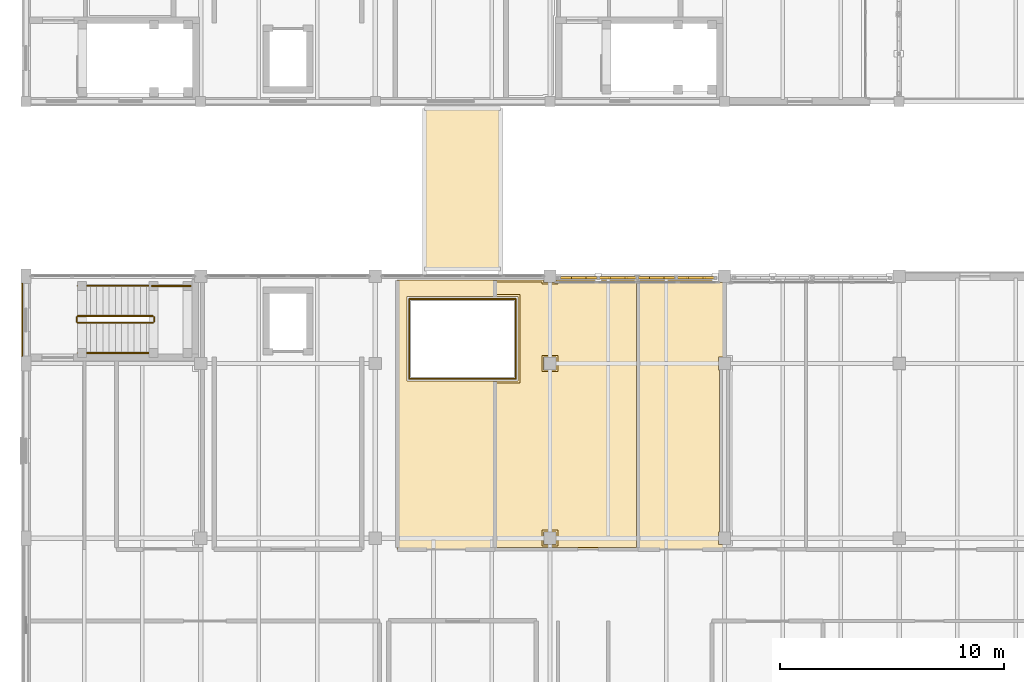
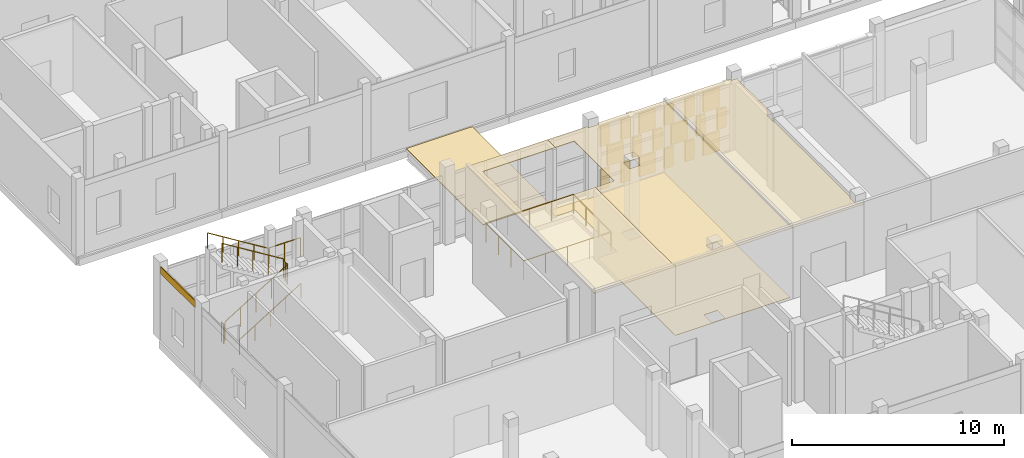
# One storey, part 103 of 119: 24 coverings, 11 railings.
"""IFC4 building model written with IfcOpenShell, lengths in metres."""

from ifc_helpers import new_model, si_unit, direction, frame, origin, origin_2d, place, context, subcontext, project, spatial, polyline, rectangle, circle, outline, extrude, material, layer, layer_set, type_object, element, save


model = new_model("IFC4")

# Units and contexts
model_context = context("Model", 3, precision=1e-05, world=origin(), true_north=direction((0.0, 1.0)))
body_context = subcontext(model_context, "Body", "Model", "MODEL_VIEW")
ifc_project = project(units=[si_unit("LENGTHUNIT", "METRE"), si_unit("AREAUNIT", "SQUARE_METRE"), si_unit("VOLUMEUNIT", "CUBIC_METRE"), si_unit("PLANEANGLEUNIT", "RADIAN"), si_unit("MASSUNIT", "GRAM", prefix="KILO")], contexts=[model_context])

# Site, building, storey
site_placement = place(None, origin())
site = spatial("IfcSite", under=ifc_project, at=site_placement, CompositionType="ELEMENT")
building_placement = place(site_placement, origin())
building = spatial("IfcBuilding", under=site, at=building_placement, Name="Celorna Specialist Clinic", CompositionType="ELEMENT")
storey_placement = place(building_placement, frame((0.0, 0.0, 9.60009765625)))
storey = spatial("IfcBuildingStorey", under=building, at=storey_placement, Name="L02", CompositionType="ELEMENT", Elevation=9.60009765625)

# Railings
ifc_material_1 = material(Name="Stainless steel and laminated glass balustrade", Category="steel")
railing_type_1 = type_object("IfcRailingType", Name="BL-01", PredefinedType="BALUSTRADE", material=ifc_material_1)
railing_1_placement = place(storey_placement, frame((17.1201171875, 22.719970703125, 0.0)))
element("IfcRailing", 1, at=railing_1_placement, inside=storey, type_object=railing_type_1, Name="Clinical lightwell balustrade L02 #7-1", PredefinedType="BALUSTRADE", context=body_context, shape_type="SweptSolid", body=[
    extrude(circle(Radius=0.02392578125, at=origin_2d()), frame((0.0, 0.0, 1.09619140625), z_axis=(1.0, 0.0, 0.0), x_axis=(0.0, 1.0, 0.0)), (0.0, 0.0, 1.0), 4.759765625),
    extrude(circle(Radius=0.02099609375, at=origin_2d()), origin(), (0.0, 0.0, 1.0), 1.072021484375),
    extrude(circle(Radius=0.02099609375, at=origin_2d()), frame((1.18994140625, 0.0, 0.0)), (0.0, 0.0, 1.0), 1.072021484375),
    extrude(circle(Radius=0.02099609375, at=origin_2d()), frame((2.3798828125, 0.0, 0.0)), (0.0, 0.0, 1.0), 1.072021484375),
    extrude(circle(Radius=0.02099609375, at=origin_2d()), frame((3.56982421875, 0.0, 0.0)), (0.0, 0.0, 1.0), 1.072021484375),
    extrude(circle(Radius=0.02099609375, at=origin_2d()), frame((4.759765625, 0.0, 0.0)), (0.0, 0.0, 1.0), 1.072021484375),
])
railing_2_placement = place(storey_placement, frame((21.8798828125, 22.719970703125, 0.0)))
element("IfcRailing", 2, at=railing_2_placement, inside=storey, type_object=railing_type_1, Name="Clinical lightwell balustrade L02 #7-2", PredefinedType="BALUSTRADE", context=body_context, shape_type="SweptSolid", body=[
    extrude(circle(Radius=0.02392578125, at=origin_2d()), frame((0.0, 0.0, 1.09619140625), z_axis=(0.0, 1.0, 0.0), x_axis=(-1.0, 0.0, 0.0)), (0.0, 0.0, 1.0), 3.56005859375),
    extrude(circle(Radius=0.02099609375, at=origin_2d()), origin(), (0.0, 0.0, 1.0), 1.072021484375),
    extrude(circle(Radius=0.02099609375, at=origin_2d()), frame((0.0, 1.186767578125, 0.0)), (0.0, 0.0, 1.0), 1.072021484375),
    extrude(circle(Radius=0.02099609375, at=origin_2d()), frame((0.0, 2.373291015625, 0.0)), (0.0, 0.0, 1.0), 1.072021484375),
    extrude(circle(Radius=0.02099609375, at=origin_2d()), frame((0.0, 3.56005859375, 0.0)), (0.0, 0.0, 1.0), 1.072021484375),
])
railing_3_placement = place(storey_placement, frame((21.8798828125, 26.280029296875, 0.0)))
element("IfcRailing", 3, at=railing_3_placement, inside=storey, type_object=railing_type_1, Name="Clinical lightwell balustrade L02 #7-3", PredefinedType="BALUSTRADE", context=body_context, shape_type="SweptSolid", body=[
    extrude(circle(Radius=0.02392578125, at=origin_2d()), frame((0.0, 0.0, 1.09619140625), z_axis=(-1.0, 0.0, 0.0), x_axis=(0.0, -1.0, 0.0)), (0.0, 0.0, 1.0), 4.759765625),
    extrude(circle(Radius=0.02099609375, at=origin_2d()), origin(), (0.0, 0.0, 1.0), 1.072021484375),
    extrude(circle(Radius=0.02099609375, at=origin_2d()), frame((-1.18994140625, 0.0, 0.0)), (0.0, 0.0, 1.0), 1.072021484375),
    extrude(circle(Radius=0.02099609375, at=origin_2d()), frame((-2.3798828125, 0.0, 0.0)), (0.0, 0.0, 1.0), 1.072021484375),
    extrude(circle(Radius=0.02099609375, at=origin_2d()), frame((-3.56982421875, 0.0, 0.0)), (0.0, 0.0, 1.0), 1.072021484375),
    extrude(circle(Radius=0.02099609375, at=origin_2d()), frame((-4.759765625, 0.0, 0.0)), (0.0, 0.0, 1.0), 1.072021484375),
])
railing_4_placement = place(storey_placement, frame((17.1201171875, 26.280029296875, 0.0)))
element("IfcRailing", 4, at=railing_4_placement, inside=storey, type_object=railing_type_1, Name="Clinical lightwell balustrade L02 #7-4", PredefinedType="BALUSTRADE", context=body_context, shape_type="SweptSolid", body=[
    extrude(circle(Radius=0.02392578125, at=origin_2d()), frame((0.0, 0.0, 1.09619140625), z_axis=(0.0, -1.0, 0.0), x_axis=(1.0, 0.0, 0.0)), (0.0, 0.0, 1.0), 3.56005859375),
    extrude(circle(Radius=0.02099609375, at=origin_2d()), origin(), (0.0, 0.0, 1.0), 1.072021484375),
    extrude(circle(Radius=0.02099609375, at=origin_2d()), frame((0.0, -1.186767578125, 0.0)), (0.0, 0.0, 1.0), 1.072021484375),
    extrude(circle(Radius=0.02099609375, at=origin_2d()), frame((0.0, -2.373291015625, 0.0)), (0.0, 0.0, 1.0), 1.072021484375),
    extrude(circle(Radius=0.02099609375, at=origin_2d()), frame((0.0, -3.56005859375, 0.0)), (0.0, 0.0, 1.0), 1.072021484375),
])

# Coverings
ifc_material_2 = material(Name="Hygienic acoustic mineral-fibre ceiling")
ifc_layer_1 = layer(ifc_material_2, 0.030029296875, Name="Hygienic acoustic mineral-fibre ceiling")
ifc_layer_set_1 = layer_set([ifc_layer_1], Name="Hygienic acoustic mineral-fibre ceiling")
covering_type_1 = type_object("IfcCoveringType", Name="CE-01", PredefinedType="CEILING", material=ifc_layer_set_1)
covering_1_placement = place(storey_placement, frame((0.0, 0.0, 4.02978515625)))
element("IfcCovering", 5, at=covering_1_placement, inside=storey, type_object=covering_type_1, Name="Acoustic ceiling L02-058", PredefinedType="CEILING", context=body_context, shape_type="SweptSolid", body=[
    extrude(outline(polyline([(16.574951171875, 27.125), (20.955078125, 27.125), (20.955078125, 26.385009765625), (17.014892578125, 26.385009765625), (17.014892578125, 22.614990234375), (20.955078125, 22.614990234375), (20.955078125, 15.0849609375), (16.574951171875, 15.0849609375), (16.574951171875, 27.125)])), origin(), (0.0, 0.0, 1.0), 0.030029296875),
])
covering_2_placement = place(storey_placement, frame((0.0, 0.0, 4.02978515625)))
element("IfcCovering", 6, at=covering_2_placement, inside=storey, type_object=covering_type_1, Name="Acoustic ceiling L02-059", PredefinedType="CEILING", context=body_context, shape_type="SweptSolid", body=[
    extrude(outline(polyline([(27.35498046875, 27.125), (27.35498046875, 15.0849609375), (20.925048828125, 15.0849609375), (20.925048828125, 22.614990234375), (21.985107421875, 22.614990234375), (21.985107421875, 26.385009765625), (20.925048828125, 26.385009765625), (20.925048828125, 27.125), (23.1201171875, 27.125), (23.1201171875, 27.02001953125), (23.679931640625, 27.02001953125), (23.679931640625, 27.125), (27.35498046875, 27.125)]), holes=[polyline([(23.679931640625, 15.8798828125), (23.1201171875, 15.8798828125), (23.1201171875, 15.320068359375), (23.679931640625, 15.320068359375), (23.679931640625, 15.8798828125)]), polyline([(23.679931640625, 23.679931640625), (23.1201171875, 23.679931640625), (23.1201171875, 23.1201171875), (23.679931640625, 23.1201171875), (23.679931640625, 23.679931640625)])]), origin(), (0.0, 0.0, 1.0), 0.030029296875),
])
covering_3_placement = place(storey_placement, frame((0.0, 0.0, 4.02978515625)))
element("IfcCovering", 7, at=covering_3_placement, inside=storey, type_object=covering_type_1, Name="Acoustic ceiling L02-060", PredefinedType="CEILING", context=body_context, shape_type="SweptSolid", body=[
    extrude(outline(polyline([(27.324951171875, 27.125), (30.919921875, 27.125), (30.919921875, 27.02001953125), (31.205078125, 27.02001953125), (31.205078125, 23.679931640625), (30.919921875, 23.679931640625), (30.919921875, 23.1201171875), (30.965087890625, 23.1201171875), (30.965087890625, 15.8798828125), (30.919921875, 15.8798828125), (30.919921875, 15.320068359375), (31.205078125, 15.320068359375), (31.205078125, 15.0849609375), (27.324951171875, 15.0849609375), (27.324951171875, 27.125)])), origin(), (0.0, 0.0, 1.0), 0.030029296875),
])
ifc_material_3 = material(Name="Pero Pinheiro Lioz limestone rainscreen cladding", Category="masonry")
ifc_layer_2 = layer(ifc_material_3, 0.044921875, Name="Pero Pinheiro Lioz limestone rainscreen cladding")
ifc_layer_set_2 = layer_set([ifc_layer_2], Name="Pero Pinheiro Lioz limestone rainscreen cladding")
covering_type_2 = type_object("IfcCoveringType", Name="CL-01", PredefinedType="CLADDING", material=ifc_layer_set_2)
covering_4_placement = place(storey_placement, frame((-0.16748046875, 25.35009765625, 3.83984375), z_axis=(0.0, 0.0, 1.0), x_axis=(0.0, 1.0, 0.0)))
element("IfcCovering", 8, at=covering_4_placement, inside=storey, type_object=covering_type_2, Name="Lioz spandrel cladding #347", PredefinedType="CLADDING", context=body_context, shape_type="SweptSolid", body=[
    extrude(rectangle(XDim=3.25, YDim=0.044921875, at=origin_2d()), origin(), (0.0, 0.0, 1.0), 0.39990234375),
])
ifc_material_4 = material(Name="Perforated terracotta brick weave cladding", Category="masonry")
ifc_layer_3 = layer(ifc_material_4, 0.114990234375, Name="Perforated terracotta brick weave cladding")
ifc_layer_set_3 = layer_set([ifc_layer_3], Name="Perforated terracotta brick weave cladding")
covering_type_3 = type_object("IfcCoveringType", Name="CL-02", PredefinedType="CLADDING", material=ifc_layer_set_3)
for number, where, z_axis, x_axis, name in (
    (9, (24.122314453125, 27.22998046875, 0.10009765625), (0.0, 0.0, 1.0), (1.0, 0.0, 0.0), "Woven perforated terracotta brick course #1518"),
    (10, (25.25, 27.22998046875, 0.10009765625), (0.0, 0.0, 1.0), (1.0, 0.0, 0.0), "Woven perforated terracotta brick course #1519"),
):
    element("IfcCovering", number, at=place(storey_placement, frame(where, z_axis=z_axis, x_axis=x_axis)), inside=storey, type_object=covering_type_3, Name=name, PredefinedType="CLADDING", context=body_context, shape_type="SweptSolid", body=[
        extrude(rectangle(XDim=0.494873046875, YDim=0.114990234375, at=origin_2d()), origin(), (0.0, 0.0, 1.0), 1.146728515625),
    ])
covering_5_placement = place(storey_placement, frame((24.686279296875, 27.22998046875, 1.3466796875), z_axis=(0.0, 0.0, 1.0), x_axis=(1.0, 0.0, 0.0)))
element("IfcCovering", 11, at=covering_5_placement, inside=storey, type_object=covering_type_3, Name="Woven perforated terracotta brick course #1520", PredefinedType="CLADDING", context=body_context, shape_type="SweptSolid", body=[
    extrude(rectangle(XDim=0.876220703125, YDim=0.114990234375, at=origin_2d()), origin(), (0.0, 0.0, 1.0), 1.146484375),
])
for number, where, z_axis, x_axis, name in (
    (12, (24.122314453125, 27.22998046875, 2.59326171875), (0.0, 0.0, 1.0), (1.0, 0.0, 0.0), "Woven perforated terracotta brick course #1521"),
    (13, (25.25, 27.22998046875, 2.59326171875), (0.0, 0.0, 1.0), (1.0, 0.0, 0.0), "Woven perforated terracotta brick course #1522"),
):
    element("IfcCovering", number, at=place(storey_placement, frame(where, z_axis=z_axis, x_axis=x_axis)), inside=storey, type_object=covering_type_3, Name=name, PredefinedType="CLADDING", context=body_context, shape_type="SweptSolid", body=[
        extrude(rectangle(XDim=0.494873046875, YDim=0.114990234375, at=origin_2d()), origin(), (0.0, 0.0, 1.0), 1.146728515625),
    ])
covering_6_placement = place(storey_placement, frame((26.4287109375, 27.22998046875, 0.10009765625), z_axis=(0.0, 0.0, 1.0), x_axis=(1.0, 0.0, 0.0)))
element("IfcCovering", 14, at=covering_6_placement, inside=storey, type_object=covering_type_3, Name="Woven perforated terracotta brick course #1523", PredefinedType="CLADDING", context=body_context, shape_type="SweptSolid", body=[
    extrude(rectangle(XDim=0.876220703125, YDim=0.114990234375, at=origin_2d()), origin(), (0.0, 0.0, 1.0), 1.146728515625),
])
for number, where, z_axis, x_axis, name in (
    (15, (25.864990234375, 27.22998046875, 1.3466796875), (0.0, 0.0, 1.0), (1.0, 0.0, 0.0), "Woven perforated terracotta brick course #1524"),
    (16, (26.992431640625, 27.22998046875, 1.3466796875), (0.0, 0.0, 1.0), (1.0, 0.0, 0.0), "Woven perforated terracotta brick course #1525"),
):
    element("IfcCovering", number, at=place(storey_placement, frame(where, z_axis=z_axis, x_axis=x_axis)), inside=storey, type_object=covering_type_3, Name=name, PredefinedType="CLADDING", context=body_context, shape_type="SweptSolid", body=[
        extrude(rectangle(XDim=0.494873046875, YDim=0.114990234375, at=origin_2d()), origin(), (0.0, 0.0, 1.0), 1.146484375),
    ])
covering_7_placement = place(storey_placement, frame((26.4287109375, 27.22998046875, 2.59326171875), z_axis=(0.0, 0.0, 1.0), x_axis=(1.0, 0.0, 0.0)))
element("IfcCovering", 17, at=covering_7_placement, inside=storey, type_object=covering_type_3, Name="Woven perforated terracotta brick course #1526", PredefinedType="CLADDING", context=body_context, shape_type="SweptSolid", body=[
    extrude(rectangle(XDim=0.876220703125, YDim=0.114990234375, at=origin_2d()), origin(), (0.0, 0.0, 1.0), 1.146728515625),
])
for number, where, z_axis, x_axis, name in (
    (18, (27.607421875, 27.22998046875, 0.10009765625), (0.0, 0.0, 1.0), (1.0, 0.0, 0.0), "Woven perforated terracotta brick course #1527"),
    (19, (28.735107421875, 27.22998046875, 0.10009765625), (0.0, 0.0, 1.0), (1.0, 0.0, 0.0), "Woven perforated terracotta brick course #1528"),
):
    element("IfcCovering", number, at=place(storey_placement, frame(where, z_axis=z_axis, x_axis=x_axis)), inside=storey, type_object=covering_type_3, Name=name, PredefinedType="CLADDING", context=body_context, shape_type="SweptSolid", body=[
        extrude(rectangle(XDim=0.494873046875, YDim=0.114990234375, at=origin_2d()), origin(), (0.0, 0.0, 1.0), 1.146728515625),
    ])
covering_8_placement = place(storey_placement, frame((28.17138671875, 27.22998046875, 1.3466796875), z_axis=(0.0, 0.0, 1.0), x_axis=(1.0, 0.0, 0.0)))
element("IfcCovering", 20, at=covering_8_placement, inside=storey, type_object=covering_type_3, Name="Woven perforated terracotta brick course #1529", PredefinedType="CLADDING", context=body_context, shape_type="SweptSolid", body=[
    extrude(rectangle(XDim=0.876220703125, YDim=0.114990234375, at=origin_2d()), origin(), (0.0, 0.0, 1.0), 1.146484375),
])
for number, where, z_axis, x_axis, name in (
    (21, (27.607421875, 27.22998046875, 2.59326171875), (0.0, 0.0, 1.0), (1.0, 0.0, 0.0), "Woven perforated terracotta brick course #1530"),
    (22, (28.735107421875, 27.22998046875, 2.59326171875), (0.0, 0.0, 1.0), (1.0, 0.0, 0.0), "Woven perforated terracotta brick course #1531"),
):
    element("IfcCovering", number, at=place(storey_placement, frame(where, z_axis=z_axis, x_axis=x_axis)), inside=storey, type_object=covering_type_3, Name=name, PredefinedType="CLADDING", context=body_context, shape_type="SweptSolid", body=[
        extrude(rectangle(XDim=0.494873046875, YDim=0.114990234375, at=origin_2d()), origin(), (0.0, 0.0, 1.0), 1.146728515625),
    ])
covering_9_placement = place(storey_placement, frame((29.913818359375, 27.22998046875, 0.10009765625), z_axis=(0.0, 0.0, 1.0), x_axis=(1.0, 0.0, 0.0)))
element("IfcCovering", 23, at=covering_9_placement, inside=storey, type_object=covering_type_3, Name="Woven perforated terracotta brick course #1532", PredefinedType="CLADDING", context=body_context, shape_type="SweptSolid", body=[
    extrude(rectangle(XDim=0.876220703125, YDim=0.114990234375, at=origin_2d()), origin(), (0.0, 0.0, 1.0), 1.146728515625),
])
for number, where, z_axis, x_axis, name in (
    (24, (29.349853515625, 27.22998046875, 1.3466796875), (0.0, 0.0, 1.0), (1.0, 0.0, 0.0), "Woven perforated terracotta brick course #1533"),
    (25, (30.4775390625, 27.22998046875, 1.3466796875), (0.0, 0.0, 1.0), (1.0, 0.0, 0.0), "Woven perforated terracotta brick course #1534"),
):
    element("IfcCovering", number, at=place(storey_placement, frame(where, z_axis=z_axis, x_axis=x_axis)), inside=storey, type_object=covering_type_3, Name=name, PredefinedType="CLADDING", context=body_context, shape_type="SweptSolid", body=[
        extrude(rectangle(XDim=0.494873046875, YDim=0.114990234375, at=origin_2d()), origin(), (0.0, 0.0, 1.0), 1.146484375),
    ])
covering_10_placement = place(storey_placement, frame((29.913818359375, 27.22998046875, 2.59326171875), z_axis=(0.0, 0.0, 1.0), x_axis=(1.0, 0.0, 0.0)))
element("IfcCovering", 26, at=covering_10_placement, inside=storey, type_object=covering_type_3, Name="Woven perforated terracotta brick course #1535", PredefinedType="CLADDING", context=body_context, shape_type="SweptSolid", body=[
    extrude(rectangle(XDim=0.876220703125, YDim=0.114990234375, at=origin_2d()), origin(), (0.0, 0.0, 1.0), 1.146728515625),
])
ifc_material_5 = material(Name="Seamless antimicrobial clinical vinyl and Lioz terrazzo flooring")
ifc_layer_4 = layer(ifc_material_5, 0.02001953125, Name="Seamless antimicrobial clinical vinyl and Lioz terrazzo flooring")
ifc_layer_set_4 = layer_set([ifc_layer_4], Name="Seamless antimicrobial clinical vinyl and Lioz terrazzo flooring")
covering_type_4 = type_object("IfcCoveringType", Name="FL-01", PredefinedType="FLOORING", material=ifc_layer_set_4)
covering_11_placement = place(storey_placement, origin())
element("IfcCovering", 27, at=covering_11_placement, inside=storey, type_object=covering_type_4, Name="Antimicrobial clinical flooring L02-059", PredefinedType="FLOORING", context=body_context, shape_type="SweptSolid", body=[
    extrude(outline(polyline([(23.0400390625, 27.034912109375), (23.0400390625, 26.93994140625), (23.760009765625, 26.93994140625), (23.760009765625, 27.034912109375), (27.264892578125, 27.034912109375), (27.264892578125, 15.175048828125), (21.014892578125, 15.175048828125), (21.014892578125, 22.52490234375), (22.074951171875, 22.52490234375), (22.074951171875, 26.47509765625), (21.014892578125, 26.47509765625), (21.014892578125, 27.034912109375), (23.0400390625, 27.034912109375)]), holes=[polyline([(23.760009765625, 15.9599609375), (23.0400390625, 15.9599609375), (23.0400390625, 15.239990234375), (23.760009765625, 15.239990234375), (23.760009765625, 15.9599609375)]), polyline([(23.760009765625, 23.760009765625), (23.0400390625, 23.760009765625), (23.0400390625, 23.0400390625), (23.760009765625, 23.0400390625), (23.760009765625, 23.760009765625)])]), origin(), (0.0, 0.0, 1.0), 0.02001953125),
])

# Railings
ifc_material_6 = material(Name="Powder-coated steel S355", Category="steel")
railing_type_2 = type_object("IfcRailingType", Name="GR-01", PredefinedType="GUARDRAIL", material=ifc_material_6)
railing_5_placement = place(storey_placement, frame((2.31005859375, 25.219970703125, 0.173095703125)))
element("IfcRailing", 28, at=railing_5_placement, inside=storey, type_object=railing_type_2, Name="L02 ST-04 stair guard 1", PredefinedType="GUARDRAIL", context=body_context, shape_type="SweptSolid", body=[
    extrude(circle(Radius=0.02392578125, at=origin_2d()), frame((0.0, 0.0, 1.09619140625), z_axis=(0.850606129759, 0.0, 0.525803396734), x_axis=(0.0, 1.0, 0.0)), (0.0, 0.0, 1.0), 3.949951171875),
    extrude(circle(Radius=0.02099609375, at=origin_2d()), origin(), (0.0, 0.0, 1.0), 1.072021484375),
    extrude(circle(Radius=0.02099609375, at=origin_2d()), frame((0.83984375, 0.0, 0.519287109375)), (0.0, 0.0, 1.0), 1.072021484375),
    extrude(circle(Radius=0.02099609375, at=origin_2d()), frame((1.679931640625, 0.0, 1.03857421875)), (0.0, 0.0, 1.0), 1.072021484375),
    extrude(circle(Radius=0.02099609375, at=origin_2d()), frame((2.52001953125, 0.0, 1.5576171875)), (0.0, 0.0, 1.0), 1.072021484375),
    extrude(circle(Radius=0.02099609375, at=origin_2d()), frame((3.35986328125, 0.0, 2.076904296875)), (0.0, 0.0, 1.0), 1.072021484375),
])
railing_6_placement = place(storey_placement, frame((5.719970703125, 25.27001953125, 2.25)))
element("IfcRailing", 29, at=railing_6_placement, inside=storey, type_object=railing_type_2, Name="L02 ST-04 stair guard 2", PredefinedType="GUARDRAIL", context=body_context, shape_type="SweptSolid", body=[
    extrude(circle(Radius=0.02392578125, at=origin_2d()), frame((0.0, 0.0, 1.09619140625), z_axis=(0.0, 1.0, 0.0), x_axis=(-1.0, 0.0, 0.0)), (0.0, 0.0, 1.0), 0.199951171875),
    extrude(circle(Radius=0.02099609375, at=origin_2d()), origin(), (0.0, 0.0, 1.0), 1.072021484375),
    extrude(circle(Radius=0.02099609375, at=origin_2d()), frame((0.0, 0.199951171875, 0.0)), (0.0, 0.0, 1.0), 1.072021484375),
])
railing_7_placement = place(storey_placement, frame((5.669921875, 25.52001953125, 2.423095703125)))
element("IfcRailing", 30, at=railing_7_placement, inside=storey, type_object=railing_type_2, Name="L02 ST-04 stair guard 3", PredefinedType="GUARDRAIL", context=body_context, shape_type="SweptSolid", body=[
    extrude(circle(Radius=0.02392578125, at=origin_2d()), frame((0.0, 0.0, 1.09619140625), z_axis=(-0.850606129759, 0.0, 0.525803396734), x_axis=(0.0, -1.0, 0.0)), (0.0, 0.0, 1.0), 3.949951171875),
    extrude(circle(Radius=0.02099609375, at=origin_2d()), origin(), (0.0, 0.0, 1.0), 1.072021484375),
    extrude(circle(Radius=0.02099609375, at=origin_2d()), frame((-0.83984375, 0.0, 0.519287109375)), (0.0, 0.0, 1.0), 1.072021484375),
    extrude(circle(Radius=0.02099609375, at=origin_2d()), frame((-1.679931640625, 0.0, 1.03857421875)), (0.0, 0.0, 1.0), 1.072021484375),
    extrude(circle(Radius=0.02099609375, at=origin_2d()), frame((-2.52001953125, 0.0, 1.5576171875)), (0.0, 0.0, 1.0), 1.072021484375),
    extrude(circle(Radius=0.02099609375, at=origin_2d()), frame((-3.35986328125, 0.0, 2.076904296875)), (0.0, 0.0, 1.0), 1.072021484375),
])
railing_8_placement = place(storey_placement, frame((2.260009765625, 25.27001953125, 0.0)))
element("IfcRailing", 31, at=railing_8_placement, inside=storey, type_object=railing_type_2, Name="L02 ST-04 stair guard 4", PredefinedType="GUARDRAIL", context=body_context, shape_type="SweptSolid", body=[
    extrude(circle(Radius=0.02392578125, at=origin_2d()), frame((0.0, 0.0, 1.09619140625), z_axis=(0.0, 1.0, 0.0), x_axis=(-1.0, 0.0, 0.0)), (0.0, 0.0, 1.0), 0.199951171875),
    extrude(circle(Radius=0.02099609375, at=origin_2d()), origin(), (0.0, 0.0, 1.0), 1.072021484375),
    extrude(circle(Radius=0.02099609375, at=origin_2d()), frame((0.0, 0.199951171875, 0.0)), (0.0, 0.0, 1.0), 1.072021484375),
])
railing_9_placement = place(storey_placement, frame((5.610107421875, 26.860107421875, 2.25)))
element("IfcRailing", 32, at=railing_9_placement, inside=storey, type_object=railing_type_2, Name="Stair ST-04 half-landing guard L02", PredefinedType="GUARDRAIL", context=body_context, shape_type="SweptSolid", body=[
    extrude(circle(Radius=0.02392578125, at=origin_2d()), frame((0.0, 0.0, 1.09619140625), z_axis=(1.0, 0.0, 0.0), x_axis=(0.0, 1.0, 0.0)), (0.0, 0.0, 1.0), 1.739990234375),
    extrude(circle(Radius=0.02099609375, at=origin_2d()), origin(), (0.0, 0.0, 1.0), 1.072021484375),
    extrude(circle(Radius=0.02099609375, at=origin_2d()), frame((0.8701171875, 0.0, 0.0)), (0.0, 0.0, 1.0), 1.072021484375),
    extrude(circle(Radius=0.02099609375, at=origin_2d()), frame((1.739990234375, 0.0, 0.0)), (0.0, 0.0, 1.0), 1.072021484375),
])
ifc_material_7 = material(Name="Brushed stainless steel handrail", Category="steel")
railing_type_3 = type_object("IfcRailingType", Name="HR-01", PredefinedType="HANDRAIL", material=ifc_material_7)
railing_10_placement = place(storey_placement, frame((2.31005859375, 23.8701171875, 0.173095703125)))
element("IfcRailing", 33, at=railing_10_placement, inside=storey, type_object=railing_type_3, Name="L02 ST-04 stair handrail 1", PredefinedType="HANDRAIL", context=body_context, shape_type="SweptSolid", body=[
    extrude(circle(Radius=0.02392578125, at=origin_2d()), frame((0.0, 0.0, 0.8759765625), z_axis=(0.850606129759, 0.0, 0.525803396734), x_axis=(0.0, 1.0, 0.0)), (0.0, 0.0, 1.0), 3.949951171875),
    extrude(circle(Radius=0.02099609375, at=origin_2d()), origin(), (0.0, 0.0, 1.0), 0.851806640625),
    extrude(circle(Radius=0.02099609375, at=origin_2d()), frame((0.83984375, 0.0, 0.519287109375)), (0.0, 0.0, 1.0), 0.851806640625),
    extrude(circle(Radius=0.02099609375, at=origin_2d()), frame((1.679931640625, 0.0, 1.03857421875)), (0.0, 0.0, 1.0), 0.851806640625),
    extrude(circle(Radius=0.02099609375, at=origin_2d()), frame((2.52001953125, 0.0, 1.5576171875)), (0.0, 0.0, 1.0), 0.851806640625),
    extrude(circle(Radius=0.02099609375, at=origin_2d()), frame((3.35986328125, 0.0, 2.076904296875)), (0.0, 0.0, 1.0), 0.851806640625),
])
railing_11_placement = place(storey_placement, frame((5.669921875, 26.8701171875, 2.423095703125)))
element("IfcRailing", 34, at=railing_11_placement, inside=storey, type_object=railing_type_3, Name="L02 ST-04 stair handrail 2", PredefinedType="HANDRAIL", context=body_context, shape_type="SweptSolid", body=[
    extrude(circle(Radius=0.02392578125, at=origin_2d()), frame((0.0, 0.0, 0.8759765625), z_axis=(-0.850606129759, 0.0, 0.525803396734), x_axis=(0.0, -1.0, 0.0)), (0.0, 0.0, 1.0), 3.949951171875),
    extrude(circle(Radius=0.02099609375, at=origin_2d()), origin(), (0.0, 0.0, 1.0), 0.851806640625),
    extrude(circle(Radius=0.02099609375, at=origin_2d()), frame((-0.83984375, 0.0, 0.519287109375)), (0.0, 0.0, 1.0), 0.851806640625),
    extrude(circle(Radius=0.02099609375, at=origin_2d()), frame((-1.679931640625, 0.0, 1.03857421875)), (0.0, 0.0, 1.0), 0.851806640625),
    extrude(circle(Radius=0.02099609375, at=origin_2d()), frame((-2.52001953125, 0.0, 1.5576171875)), (0.0, 0.0, 1.0), 0.851806640625),
    extrude(circle(Radius=0.02099609375, at=origin_2d()), frame((-3.35986328125, 0.0, 2.076904296875)), (0.0, 0.0, 1.0), 0.851806640625),
])

# Covering
ifc_material_8 = material(Name="Standing-seam zinc and EPDM acoustic roofing membrane")
ifc_layer_5 = layer(ifc_material_8, 0.0400390625, Name="Standing-seam zinc and EPDM acoustic roofing membrane")
ifc_layer_set_5 = layer_set([ifc_layer_5], Name="Standing-seam zinc and EPDM acoustic roofing membrane")
covering_type_5 = type_object("IfcCoveringType", Name="RFG-01", PredefinedType="ROOFING", material=ifc_layer_set_5)
covering_12_placement = place(storey_placement, origin())
element("IfcCovering", 35, at=covering_12_placement, inside=storey, type_object=covering_type_5, Name="Cloister bridge BR-01 standing-seam roofing", PredefinedType="ROOFING", context=body_context, shape_type="SweptSolid", body=[
    extrude(outline(polyline([(17.699951171875, 27.56005859375), (21.300048828125, 27.56005859375), (21.300048828125, 34.800048828125), (17.699951171875, 34.800048828125), (17.699951171875, 27.56005859375)])), origin(), (0.0, 0.0, 1.0), 0.039794921875),
])

save(model, "model.ifc")
